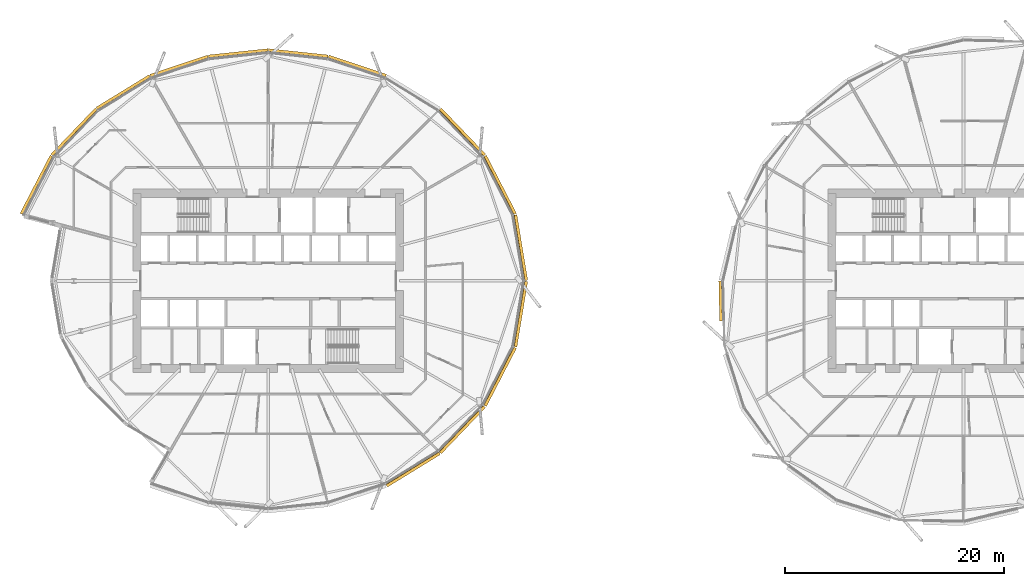
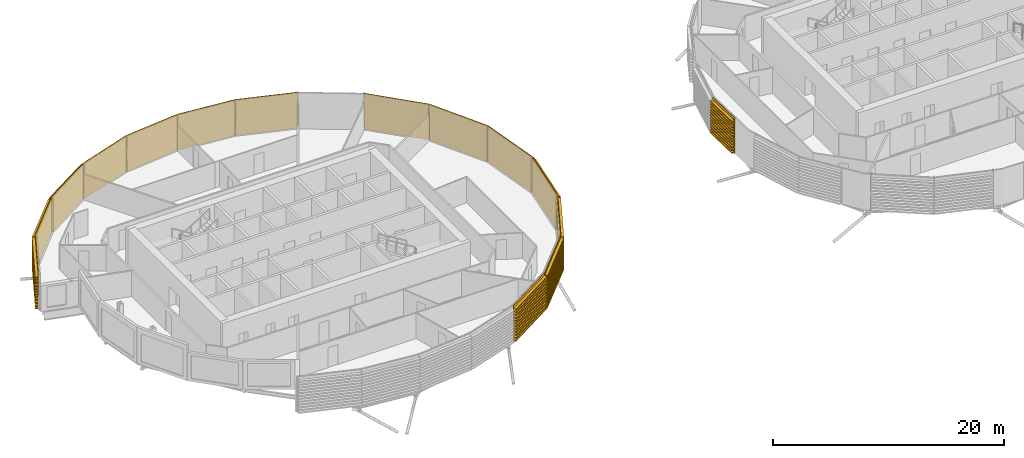
# One storey, part 36 of 39: 15 coverings.
"""IFC4 building model written with IfcOpenShell, lengths in metres."""

from ifc_helpers import new_model, si_unit, direction, frame, origin, place, context, subcontext, project, spatial, polyline, outline, extrude, material, material_profile, profile_set, type_object, element, save


model = new_model("IFC4")

# Units and contexts
model_context = context("Model", 3, precision=1e-05, world=origin(), true_north=direction((0.0, 1.0)))
body_context = subcontext(model_context, "Body", "Model", "MODEL_VIEW")
ifc_project = project(units=[si_unit("LENGTHUNIT", "METRE"), si_unit("AREAUNIT", "SQUARE_METRE"), si_unit("VOLUMEUNIT", "CUBIC_METRE"), si_unit("PLANEANGLEUNIT", "RADIAN"), si_unit("MASSUNIT", "GRAM", prefix="KILO")], contexts=[model_context])

# Site, building, storey
site_placement = place(None, origin())
site = spatial("IfcSite", under=ifc_project, at=site_placement, CompositionType="ELEMENT")
building_placement = place(site_placement, origin())
building = spatial("IfcBuilding", under=site, at=building_placement, Name="Rimbun Link Towers", CompositionType="ELEMENT")
storey_placement = place(building_placement, frame((0.0, 0.0, 112.0)))
storey = spatial("IfcBuildingStorey", under=building, at=storey_placement, Name="L27", CompositionType="ELEMENT", Elevation=112.0)

# Coverings
ifc_material = material(Name="Terracotta", Category="masonry")
ifc_material_profile = material_profile(ifc_material, outline(polyline([(0.123046875, 0.0), (0.1630859375, 0.0), (0.1630859375, 0.10009765625), (0.423095703125, 0.10009765625), (0.423095703125, 0.219970703125), (0.1630859375, 0.219970703125), (0.1630859375, 0.39990234375), (0.423095703125, 0.39990234375), (0.423095703125, 0.52001953125), (0.1630859375, 0.52001953125), (0.1630859375, 0.699951171875), (0.423095703125, 0.699951171875), (0.423095703125, 0.820068359375), (0.1630859375, 0.820068359375), (0.1630859375, 1.0), (0.423095703125, 1.0), (0.423095703125, 1.1201171875), (0.1630859375, 1.1201171875), (0.1630859375, 1.300048828125), (0.423095703125, 1.300048828125), (0.423095703125, 1.419921875), (0.1630859375, 1.419921875), (0.1630859375, 1.60009765625), (0.423095703125, 1.60009765625), (0.423095703125, 1.719970703125), (0.1630859375, 1.719970703125), (0.1630859375, 1.89990234375), (0.423095703125, 1.89990234375), (0.423095703125, 2.02001953125), (0.1630859375, 2.02001953125), (0.1630859375, 2.199951171875), (0.423095703125, 2.199951171875), (0.423095703125, 2.320068359375), (0.1630859375, 2.320068359375), (0.1630859375, 2.5), (0.423095703125, 2.5), (0.423095703125, 2.6201171875), (0.1630859375, 2.6201171875), (0.1630859375, 2.800048828125), (0.423095703125, 2.800048828125), (0.423095703125, 2.919921875), (0.1630859375, 2.919921875), (0.1630859375, 3.10009765625), (0.423095703125, 3.10009765625), (0.423095703125, 3.219970703125), (0.1630859375, 3.219970703125), (0.1630859375, 3.39990234375), (0.423095703125, 3.39990234375), (0.423095703125, 3.52001953125), (0.1630859375, 3.52001953125), (0.1630859375, 3.800048828125), (0.123046875, 3.800048828125), (0.123046875, 0.0)])), Name="BAGUETTE 120X300")
ifc_profile_set = profile_set([ifc_material_profile], Name="Terracotta")
covering_type = type_object("IfcCoveringType", Name="TERRACOTTA BAGUETTE 120X300 H3800", PredefinedType="CLADDING", material=ifc_profile_set)
covering_1_placement = place(storey_placement, frame((-9.449951171875, 5.975341796875, 0.0), z_axis=(0.162273818605, -0.986745766546, 0.0), x_axis=(0.986745766546, 0.162273818605, 0.0)))
element("IfcCovering", 1, at=covering_1_placement, inside=storey, type_object=covering_type, Name="TERRACOTTA BAGUETTE", PredefinedType="CLADDING", context=body_context, shape_type="SweptSolid", body=[
    extrude(outline(polyline([(0.123046875, 0.0), (0.1630859375, 0.0), (0.1630859375, 0.10009765625), (0.423095703125, 0.10009765625), (0.423095703125, 0.219970703125), (0.1630859375, 0.219970703125), (0.1630859375, 0.39990234375), (0.423095703125, 0.39990234375), (0.423095703125, 0.52001953125), (0.1630859375, 0.52001953125), (0.1630859375, 0.699951171875), (0.423095703125, 0.699951171875), (0.423095703125, 0.820068359375), (0.1630859375, 0.820068359375), (0.1630859375, 1.0), (0.423095703125, 1.0), (0.423095703125, 1.1201171875), (0.1630859375, 1.1201171875), (0.1630859375, 1.300048828125), (0.423095703125, 1.300048828125), (0.423095703125, 1.419921875), (0.1630859375, 1.419921875), (0.1630859375, 1.60009765625), (0.423095703125, 1.60009765625), (0.423095703125, 1.719970703125), (0.1630859375, 1.719970703125), (0.1630859375, 1.89990234375), (0.423095703125, 1.89990234375), (0.423095703125, 2.02001953125), (0.1630859375, 2.02001953125), (0.1630859375, 2.199951171875), (0.423095703125, 2.199951171875), (0.423095703125, 2.320068359375), (0.1630859375, 2.320068359375), (0.1630859375, 2.5), (0.423095703125, 2.5), (0.423095703125, 2.6201171875), (0.1630859375, 2.6201171875), (0.1630859375, 2.800048828125), (0.423095703125, 2.800048828125), (0.423095703125, 2.919921875), (0.1630859375, 2.919921875), (0.1630859375, 3.10009765625), (0.423095703125, 3.10009765625), (0.423095703125, 3.219970703125), (0.1630859375, 3.219970703125), (0.1630859375, 3.39990234375), (0.423095703125, 3.39990234375), (0.423095703125, 3.52001953125), (0.1630859375, 3.52001953125), (0.1630859375, 3.800048828125), (0.123046875, 3.800048828125), (0.123046875, 0.0)])), origin(), (0.0, 0.0, 1.0), 6.0556640625),
])
covering_2_placement = place(storey_placement, frame((-12.19873046875, 11.287841796875, 0.0), z_axis=(0.459546166202, -0.888153883699, 0.0), x_axis=(0.888153883699, 0.459546166202, 0.0)))
element("IfcCovering", 2, at=covering_2_placement, inside=storey, type_object=covering_type, Name="TERRACOTTA BAGUETTE", PredefinedType="CLADDING", context=body_context, shape_type="SweptSolid", body=[
    extrude(outline(polyline([(0.123046875, 0.0), (0.1630859375, 0.0), (0.1630859375, 0.10009765625), (0.423095703125, 0.10009765625), (0.423095703125, 0.219970703125), (0.1630859375, 0.219970703125), (0.1630859375, 0.39990234375), (0.423095703125, 0.39990234375), (0.423095703125, 0.52001953125), (0.1630859375, 0.52001953125), (0.1630859375, 0.699951171875), (0.423095703125, 0.699951171875), (0.423095703125, 0.820068359375), (0.1630859375, 0.820068359375), (0.1630859375, 1.0), (0.423095703125, 1.0), (0.423095703125, 1.1201171875), (0.1630859375, 1.1201171875), (0.1630859375, 1.300048828125), (0.423095703125, 1.300048828125), (0.423095703125, 1.419921875), (0.1630859375, 1.419921875), (0.1630859375, 1.60009765625), (0.423095703125, 1.60009765625), (0.423095703125, 1.719970703125), (0.1630859375, 1.719970703125), (0.1630859375, 1.89990234375), (0.423095703125, 1.89990234375), (0.423095703125, 2.02001953125), (0.1630859375, 2.02001953125), (0.1630859375, 2.199951171875), (0.423095703125, 2.199951171875), (0.423095703125, 2.320068359375), (0.1630859375, 2.320068359375), (0.1630859375, 2.5), (0.423095703125, 2.5), (0.423095703125, 2.6201171875), (0.1630859375, 2.6201171875), (0.1630859375, 2.800048828125), (0.423095703125, 2.800048828125), (0.423095703125, 2.919921875), (0.1630859375, 2.919921875), (0.1630859375, 3.10009765625), (0.423095703125, 3.10009765625), (0.423095703125, 3.219970703125), (0.1630859375, 3.219970703125), (0.1630859375, 3.39990234375), (0.423095703125, 3.39990234375), (0.423095703125, 3.52001953125), (0.1630859375, 3.52001953125), (0.1630859375, 3.800048828125), (0.123046875, 3.800048828125), (0.123046875, 0.0)])), origin(), (0.0, 0.0, 1.0), 5.9814453125),
])
covering_3_placement = place(storey_placement, frame((-16.243408203125, 15.506591796875, 0.0), z_axis=(0.692057772999, -0.721842114892, 0.0), x_axis=(0.721842114892, 0.692057772999, 0.0)))
element("IfcCovering", 3, at=covering_3_placement, inside=storey, type_object=covering_type, Name="TERRACOTTA BAGUETTE", PredefinedType="CLADDING", context=body_context, shape_type="SweptSolid", body=[
    extrude(outline(polyline([(0.123046875, 0.0), (0.1630859375, 0.0), (0.1630859375, 0.10009765625), (0.423095703125, 0.10009765625), (0.423095703125, 0.219970703125), (0.1630859375, 0.219970703125), (0.1630859375, 0.39990234375), (0.423095703125, 0.39990234375), (0.423095703125, 0.52001953125), (0.1630859375, 0.52001953125), (0.1630859375, 0.699951171875), (0.423095703125, 0.699951171875), (0.423095703125, 0.820068359375), (0.1630859375, 0.820068359375), (0.1630859375, 1.0), (0.423095703125, 1.0), (0.423095703125, 1.1201171875), (0.1630859375, 1.1201171875), (0.1630859375, 1.300048828125), (0.423095703125, 1.300048828125), (0.423095703125, 1.419921875), (0.1630859375, 1.419921875), (0.1630859375, 1.60009765625), (0.423095703125, 1.60009765625), (0.423095703125, 1.719970703125), (0.1630859375, 1.719970703125), (0.1630859375, 1.89990234375), (0.423095703125, 1.89990234375), (0.423095703125, 2.02001953125), (0.1630859375, 2.02001953125), (0.1630859375, 2.199951171875), (0.423095703125, 2.199951171875), (0.423095703125, 2.320068359375), (0.1630859375, 2.320068359375), (0.1630859375, 2.5), (0.423095703125, 2.5), (0.423095703125, 2.6201171875), (0.1630859375, 2.6201171875), (0.1630859375, 2.800048828125), (0.423095703125, 2.800048828125), (0.423095703125, 2.919921875), (0.1630859375, 2.919921875), (0.1630859375, 3.10009765625), (0.423095703125, 3.10009765625), (0.423095703125, 3.219970703125), (0.1630859375, 3.219970703125), (0.1630859375, 3.39990234375), (0.423095703125, 3.39990234375), (0.423095703125, 3.52001953125), (0.1630859375, 3.52001953125), (0.1630859375, 3.800048828125), (0.123046875, 3.800048828125), (0.123046875, 0.0)])), origin(), (0.0, 0.0, 1.0), 5.844482421875),
])
covering_4_placement = place(storey_placement, frame((-26.332763671875, 20.217529296875, 0.0), z_axis=(0.949237947601, -0.314558927445, 0.0), x_axis=(0.314558927445, 0.949237947601, 0.0)))
element("IfcCovering", 4, at=covering_4_placement, inside=storey, type_object=covering_type, Name="TERRACOTTA BAGUETTE", PredefinedType="CLADDING", context=body_context, shape_type="SweptSolid", body=[
    extrude(outline(polyline([(0.123046875, 0.0), (0.1630859375, 0.0), (0.1630859375, 0.10009765625), (0.423095703125, 0.10009765625), (0.423095703125, 0.219970703125), (0.1630859375, 0.219970703125), (0.1630859375, 0.39990234375), (0.423095703125, 0.39990234375), (0.423095703125, 0.52001953125), (0.1630859375, 0.52001953125), (0.1630859375, 0.699951171875), (0.423095703125, 0.699951171875), (0.423095703125, 0.820068359375), (0.1630859375, 0.820068359375), (0.1630859375, 1.0), (0.423095703125, 1.0), (0.423095703125, 1.1201171875), (0.1630859375, 1.1201171875), (0.1630859375, 1.300048828125), (0.423095703125, 1.300048828125), (0.423095703125, 1.419921875), (0.1630859375, 1.419921875), (0.1630859375, 1.60009765625), (0.423095703125, 1.60009765625), (0.423095703125, 1.719970703125), (0.1630859375, 1.719970703125), (0.1630859375, 1.89990234375), (0.423095703125, 1.89990234375), (0.423095703125, 2.02001953125), (0.1630859375, 2.02001953125), (0.1630859375, 2.199951171875), (0.423095703125, 2.199951171875), (0.423095703125, 2.320068359375), (0.1630859375, 2.320068359375), (0.1630859375, 2.5), (0.423095703125, 2.5), (0.423095703125, 2.6201171875), (0.1630859375, 2.6201171875), (0.1630859375, 2.800048828125), (0.423095703125, 2.800048828125), (0.423095703125, 2.919921875), (0.1630859375, 2.919921875), (0.1630859375, 3.10009765625), (0.423095703125, 3.10009765625), (0.423095703125, 3.219970703125), (0.1630859375, 3.219970703125), (0.1630859375, 3.39990234375), (0.423095703125, 3.39990234375), (0.423095703125, 3.52001953125), (0.1630859375, 3.52001953125), (0.1630859375, 3.800048828125), (0.123046875, 3.800048828125), (0.123046875, 0.0)])), origin(), (0.0, 0.0, 1.0), 5.531494140625),
])
for number, where, z_axis, x_axis, name in (
    (5, (-31.75, 20.7880859375, 0.0), (0.994499311557, -0.104743111051, 0.0), (0.104743111051, 0.994499311557, 0.0), "TERRACOTTA BAGUETTE"),
    (6, (-37.167236328125, 20.217529296875, 0.0), (0.994499311557, 0.104743111051, 0.0), (-0.104743111051, 0.994499311557, 0.0), "TERRACOTTA BAGUETTE"),
):
    element("IfcCovering", number, at=place(storey_placement, frame(where, z_axis=z_axis, x_axis=x_axis)), inside=storey, type_object=covering_type, Name=name, PredefinedType="CLADDING", context=body_context, shape_type="SweptSolid", body=[
        extrude(outline(polyline([(0.123046875, 0.0), (0.1630859375, 0.0), (0.1630859375, 0.10009765625), (0.423095703125, 0.10009765625), (0.423095703125, 0.219970703125), (0.1630859375, 0.219970703125), (0.1630859375, 0.39990234375), (0.423095703125, 0.39990234375), (0.423095703125, 0.52001953125), (0.1630859375, 0.52001953125), (0.1630859375, 0.699951171875), (0.423095703125, 0.699951171875), (0.423095703125, 0.820068359375), (0.1630859375, 0.820068359375), (0.1630859375, 1.0), (0.423095703125, 1.0), (0.423095703125, 1.1201171875), (0.1630859375, 1.1201171875), (0.1630859375, 1.300048828125), (0.423095703125, 1.300048828125), (0.423095703125, 1.419921875), (0.1630859375, 1.419921875), (0.1630859375, 1.60009765625), (0.423095703125, 1.60009765625), (0.423095703125, 1.719970703125), (0.1630859375, 1.719970703125), (0.1630859375, 1.89990234375), (0.423095703125, 1.89990234375), (0.423095703125, 2.02001953125), (0.1630859375, 2.02001953125), (0.1630859375, 2.199951171875), (0.423095703125, 2.199951171875), (0.423095703125, 2.320068359375), (0.1630859375, 2.320068359375), (0.1630859375, 2.5), (0.423095703125, 2.5), (0.423095703125, 2.6201171875), (0.1630859375, 2.6201171875), (0.1630859375, 2.800048828125), (0.423095703125, 2.800048828125), (0.423095703125, 2.919921875), (0.1630859375, 2.919921875), (0.1630859375, 3.10009765625), (0.423095703125, 3.10009765625), (0.423095703125, 3.219970703125), (0.1630859375, 3.219970703125), (0.1630859375, 3.39990234375), (0.423095703125, 3.39990234375), (0.423095703125, 3.52001953125), (0.1630859375, 3.52001953125), (0.1630859375, 3.800048828125), (0.123046875, 3.800048828125), (0.123046875, 0.0)])), origin(), (0.0, 0.0, 1.0), 5.447265625),
    ])
covering_5_placement = place(storey_placement, frame((-42.41796875, 18.4775390625, 0.0), z_axis=(0.949237947601, 0.314558927445, 0.0), x_axis=(-0.314558927445, 0.949237947601, 0.0)))
element("IfcCovering", 7, at=covering_5_placement, inside=storey, type_object=covering_type, Name="TERRACOTTA BAGUETTE", PredefinedType="CLADDING", context=body_context, shape_type="SweptSolid", body=[
    extrude(outline(polyline([(0.123046875, 0.0), (0.1630859375, 0.0), (0.1630859375, 0.10009765625), (0.423095703125, 0.10009765625), (0.423095703125, 0.219970703125), (0.1630859375, 0.219970703125), (0.1630859375, 0.39990234375), (0.423095703125, 0.39990234375), (0.423095703125, 0.52001953125), (0.1630859375, 0.52001953125), (0.1630859375, 0.699951171875), (0.423095703125, 0.699951171875), (0.423095703125, 0.820068359375), (0.1630859375, 0.820068359375), (0.1630859375, 1.0), (0.423095703125, 1.0), (0.423095703125, 1.1201171875), (0.1630859375, 1.1201171875), (0.1630859375, 1.300048828125), (0.423095703125, 1.300048828125), (0.423095703125, 1.419921875), (0.1630859375, 1.419921875), (0.1630859375, 1.60009765625), (0.423095703125, 1.60009765625), (0.423095703125, 1.719970703125), (0.1630859375, 1.719970703125), (0.1630859375, 1.89990234375), (0.423095703125, 1.89990234375), (0.423095703125, 2.02001953125), (0.1630859375, 2.02001953125), (0.1630859375, 2.199951171875), (0.423095703125, 2.199951171875), (0.423095703125, 2.320068359375), (0.1630859375, 2.320068359375), (0.1630859375, 2.5), (0.423095703125, 2.5), (0.423095703125, 2.6201171875), (0.1630859375, 2.6201171875), (0.1630859375, 2.800048828125), (0.423095703125, 2.800048828125), (0.423095703125, 2.919921875), (0.1630859375, 2.919921875), (0.1630859375, 3.10009765625), (0.423095703125, 3.10009765625), (0.423095703125, 3.219970703125), (0.1630859375, 3.219970703125), (0.1630859375, 3.39990234375), (0.423095703125, 3.39990234375), (0.423095703125, 3.52001953125), (0.1630859375, 3.52001953125), (0.1630859375, 3.800048828125), (0.123046875, 3.800048828125), (0.123046875, 0.0)])), origin(), (0.0, 0.0, 1.0), 5.531494140625),
])
covering_6_placement = place(storey_placement, frame((-47.256591796875, 15.506591796875, 0.0), z_axis=(0.852181989513, 0.523245503324, 0.0), x_axis=(-0.523245503324, 0.852181989513, 0.0)))
element("IfcCovering", 8, at=covering_6_placement, inside=storey, type_object=covering_type, Name="TERRACOTTA BAGUETTE", PredefinedType="CLADDING", context=body_context, shape_type="SweptSolid", body=[
    extrude(outline(polyline([(0.123046875, 0.0), (0.1630859375, 0.0), (0.1630859375, 0.10009765625), (0.423095703125, 0.10009765625), (0.423095703125, 0.219970703125), (0.1630859375, 0.219970703125), (0.1630859375, 0.39990234375), (0.423095703125, 0.39990234375), (0.423095703125, 0.52001953125), (0.1630859375, 0.52001953125), (0.1630859375, 0.699951171875), (0.423095703125, 0.699951171875), (0.423095703125, 0.820068359375), (0.1630859375, 0.820068359375), (0.1630859375, 1.0), (0.423095703125, 1.0), (0.423095703125, 1.1201171875), (0.1630859375, 1.1201171875), (0.1630859375, 1.300048828125), (0.423095703125, 1.300048828125), (0.423095703125, 1.419921875), (0.1630859375, 1.419921875), (0.1630859375, 1.60009765625), (0.423095703125, 1.60009765625), (0.423095703125, 1.719970703125), (0.1630859375, 1.719970703125), (0.1630859375, 1.89990234375), (0.423095703125, 1.89990234375), (0.423095703125, 2.02001953125), (0.1630859375, 2.02001953125), (0.1630859375, 2.199951171875), (0.423095703125, 2.199951171875), (0.423095703125, 2.320068359375), (0.1630859375, 2.320068359375), (0.1630859375, 2.5), (0.423095703125, 2.5), (0.423095703125, 2.6201171875), (0.1630859375, 2.6201171875), (0.1630859375, 2.800048828125), (0.423095703125, 2.800048828125), (0.423095703125, 2.919921875), (0.1630859375, 2.919921875), (0.1630859375, 3.10009765625), (0.423095703125, 3.10009765625), (0.423095703125, 3.219970703125), (0.1630859375, 3.219970703125), (0.1630859375, 3.39990234375), (0.423095703125, 3.39990234375), (0.423095703125, 3.52001953125), (0.1630859375, 3.52001953125), (0.1630859375, 3.800048828125), (0.123046875, 3.800048828125), (0.123046875, 0.0)])), origin(), (0.0, 0.0, 1.0), 5.677978515625),
])
covering_7_placement = place(storey_placement, frame((-51.30126953125, 11.287841796875, 0.0), z_axis=(0.692057772999, 0.721842114892, 0.0), x_axis=(-0.721842114892, 0.692057772999, 0.0)))
element("IfcCovering", 9, at=covering_7_placement, inside=storey, type_object=covering_type, Name="TERRACOTTA BAGUETTE", PredefinedType="CLADDING", context=body_context, shape_type="SweptSolid", body=[
    extrude(outline(polyline([(0.123046875, 0.0), (0.1630859375, 0.0), (0.1630859375, 0.10009765625), (0.423095703125, 0.10009765625), (0.423095703125, 0.219970703125), (0.1630859375, 0.219970703125), (0.1630859375, 0.39990234375), (0.423095703125, 0.39990234375), (0.423095703125, 0.52001953125), (0.1630859375, 0.52001953125), (0.1630859375, 0.699951171875), (0.423095703125, 0.699951171875), (0.423095703125, 0.820068359375), (0.1630859375, 0.820068359375), (0.1630859375, 1.0), (0.423095703125, 1.0), (0.423095703125, 1.1201171875), (0.1630859375, 1.1201171875), (0.1630859375, 1.300048828125), (0.423095703125, 1.300048828125), (0.423095703125, 1.419921875), (0.1630859375, 1.419921875), (0.1630859375, 1.60009765625), (0.423095703125, 1.60009765625), (0.423095703125, 1.719970703125), (0.1630859375, 1.719970703125), (0.1630859375, 1.89990234375), (0.423095703125, 1.89990234375), (0.423095703125, 2.02001953125), (0.1630859375, 2.02001953125), (0.1630859375, 2.199951171875), (0.423095703125, 2.199951171875), (0.423095703125, 2.320068359375), (0.1630859375, 2.320068359375), (0.1630859375, 2.5), (0.423095703125, 2.5), (0.423095703125, 2.6201171875), (0.1630859375, 2.6201171875), (0.1630859375, 2.800048828125), (0.423095703125, 2.800048828125), (0.423095703125, 2.919921875), (0.1630859375, 2.919921875), (0.1630859375, 3.10009765625), (0.423095703125, 3.10009765625), (0.423095703125, 3.219970703125), (0.1630859375, 3.219970703125), (0.1630859375, 3.39990234375), (0.423095703125, 3.39990234375), (0.423095703125, 3.52001953125), (0.1630859375, 3.52001953125), (0.1630859375, 3.800048828125), (0.123046875, 3.800048828125), (0.123046875, 0.0)])), origin(), (0.0, 0.0, 1.0), 5.844482421875),
])
covering_8_placement = place(storey_placement, frame((-54.050048828125, 5.975341796875, 0.0), z_axis=(0.459546166202, 0.888153883699, 0.0), x_axis=(-0.888153883699, 0.459546166202, 0.0)))
element("IfcCovering", 10, at=covering_8_placement, inside=storey, type_object=covering_type, Name="TERRACOTTA BAGUETTE", PredefinedType="CLADDING", context=body_context, shape_type="SweptSolid", body=[
    extrude(outline(polyline([(0.123046875, 0.0), (0.1630859375, 0.0), (0.1630859375, 0.10009765625), (0.423095703125, 0.10009765625), (0.423095703125, 0.219970703125), (0.1630859375, 0.219970703125), (0.1630859375, 0.39990234375), (0.423095703125, 0.39990234375), (0.423095703125, 0.52001953125), (0.1630859375, 0.52001953125), (0.1630859375, 0.699951171875), (0.423095703125, 0.699951171875), (0.423095703125, 0.820068359375), (0.1630859375, 0.820068359375), (0.1630859375, 1.0), (0.423095703125, 1.0), (0.423095703125, 1.1201171875), (0.1630859375, 1.1201171875), (0.1630859375, 1.300048828125), (0.423095703125, 1.300048828125), (0.423095703125, 1.419921875), (0.1630859375, 1.419921875), (0.1630859375, 1.60009765625), (0.423095703125, 1.60009765625), (0.423095703125, 1.719970703125), (0.1630859375, 1.719970703125), (0.1630859375, 1.89990234375), (0.423095703125, 1.89990234375), (0.423095703125, 2.02001953125), (0.1630859375, 2.02001953125), (0.1630859375, 2.199951171875), (0.423095703125, 2.199951171875), (0.423095703125, 2.320068359375), (0.1630859375, 2.320068359375), (0.1630859375, 2.5), (0.423095703125, 2.5), (0.423095703125, 2.6201171875), (0.1630859375, 2.6201171875), (0.1630859375, 2.800048828125), (0.423095703125, 2.800048828125), (0.423095703125, 2.919921875), (0.1630859375, 2.919921875), (0.1630859375, 3.10009765625), (0.423095703125, 3.10009765625), (0.423095703125, 3.219970703125), (0.1630859375, 3.219970703125), (0.1630859375, 3.39990234375), (0.423095703125, 3.39990234375), (0.423095703125, 3.52001953125), (0.1630859375, 3.52001953125), (0.1630859375, 3.800048828125), (0.123046875, 3.800048828125), (0.123046875, 0.0)])), origin(), (0.0, 0.0, 1.0), 5.9814453125),
])
covering_9_placement = place(storey_placement, frame((-16.243408203125, -15.506591796875, 0.0), z_axis=(-0.852181989513, -0.523245503324, 0.0), x_axis=(0.523245503324, -0.852181989513, 0.0)))
element("IfcCovering", 11, at=covering_9_placement, inside=storey, type_object=covering_type, Name="TERRACOTTA BAGUETTE", PredefinedType="CLADDING", context=body_context, shape_type="SweptSolid", body=[
    extrude(outline(polyline([(0.123046875, 0.0), (0.1630859375, 0.0), (0.1630859375, 0.10009765625), (0.423095703125, 0.10009765625), (0.423095703125, 0.219970703125), (0.1630859375, 0.219970703125), (0.1630859375, 0.39990234375), (0.423095703125, 0.39990234375), (0.423095703125, 0.52001953125), (0.1630859375, 0.52001953125), (0.1630859375, 0.699951171875), (0.423095703125, 0.699951171875), (0.423095703125, 0.820068359375), (0.1630859375, 0.820068359375), (0.1630859375, 1.0), (0.423095703125, 1.0), (0.423095703125, 1.1201171875), (0.1630859375, 1.1201171875), (0.1630859375, 1.300048828125), (0.423095703125, 1.300048828125), (0.423095703125, 1.419921875), (0.1630859375, 1.419921875), (0.1630859375, 1.60009765625), (0.423095703125, 1.60009765625), (0.423095703125, 1.719970703125), (0.1630859375, 1.719970703125), (0.1630859375, 1.89990234375), (0.423095703125, 1.89990234375), (0.423095703125, 2.02001953125), (0.1630859375, 2.02001953125), (0.1630859375, 2.199951171875), (0.423095703125, 2.199951171875), (0.423095703125, 2.320068359375), (0.1630859375, 2.320068359375), (0.1630859375, 2.5), (0.423095703125, 2.5), (0.423095703125, 2.6201171875), (0.1630859375, 2.6201171875), (0.1630859375, 2.800048828125), (0.423095703125, 2.800048828125), (0.423095703125, 2.919921875), (0.1630859375, 2.919921875), (0.1630859375, 3.10009765625), (0.423095703125, 3.10009765625), (0.423095703125, 3.219970703125), (0.1630859375, 3.219970703125), (0.1630859375, 3.39990234375), (0.423095703125, 3.39990234375), (0.423095703125, 3.52001953125), (0.1630859375, 3.52001953125), (0.1630859375, 3.800048828125), (0.123046875, 3.800048828125), (0.123046875, 0.0)])), origin(), (0.0, 0.0, 1.0), 5.677978515625),
])
covering_10_placement = place(storey_placement, frame((-12.19873046875, -11.287841796875, 0.0), z_axis=(-0.692057772999, -0.721842114892, 0.0), x_axis=(0.721842114892, -0.692057772999, 0.0)))
element("IfcCovering", 12, at=covering_10_placement, inside=storey, type_object=covering_type, Name="TERRACOTTA BAGUETTE", PredefinedType="CLADDING", context=body_context, shape_type="SweptSolid", body=[
    extrude(outline(polyline([(0.123046875, 0.0), (0.1630859375, 0.0), (0.1630859375, 0.10009765625), (0.423095703125, 0.10009765625), (0.423095703125, 0.219970703125), (0.1630859375, 0.219970703125), (0.1630859375, 0.39990234375), (0.423095703125, 0.39990234375), (0.423095703125, 0.52001953125), (0.1630859375, 0.52001953125), (0.1630859375, 0.699951171875), (0.423095703125, 0.699951171875), (0.423095703125, 0.820068359375), (0.1630859375, 0.820068359375), (0.1630859375, 1.0), (0.423095703125, 1.0), (0.423095703125, 1.1201171875), (0.1630859375, 1.1201171875), (0.1630859375, 1.300048828125), (0.423095703125, 1.300048828125), (0.423095703125, 1.419921875), (0.1630859375, 1.419921875), (0.1630859375, 1.60009765625), (0.423095703125, 1.60009765625), (0.423095703125, 1.719970703125), (0.1630859375, 1.719970703125), (0.1630859375, 1.89990234375), (0.423095703125, 1.89990234375), (0.423095703125, 2.02001953125), (0.1630859375, 2.02001953125), (0.1630859375, 2.199951171875), (0.423095703125, 2.199951171875), (0.423095703125, 2.320068359375), (0.1630859375, 2.320068359375), (0.1630859375, 2.5), (0.423095703125, 2.5), (0.423095703125, 2.6201171875), (0.1630859375, 2.6201171875), (0.1630859375, 2.800048828125), (0.423095703125, 2.800048828125), (0.423095703125, 2.919921875), (0.1630859375, 2.919921875), (0.1630859375, 3.10009765625), (0.423095703125, 3.10009765625), (0.423095703125, 3.219970703125), (0.1630859375, 3.219970703125), (0.1630859375, 3.39990234375), (0.423095703125, 3.39990234375), (0.423095703125, 3.52001953125), (0.1630859375, 3.52001953125), (0.1630859375, 3.800048828125), (0.123046875, 3.800048828125), (0.123046875, 0.0)])), origin(), (0.0, 0.0, 1.0), 5.844482421875),
])
covering_11_placement = place(storey_placement, frame((-9.449951171875, -5.975341796875, 0.0), z_axis=(-0.459546166202, -0.888153883699, 0.0), x_axis=(0.888153883699, -0.459546166202, 0.0)))
element("IfcCovering", 13, at=covering_11_placement, inside=storey, type_object=covering_type, Name="TERRACOTTA BAGUETTE", PredefinedType="CLADDING", context=body_context, shape_type="SweptSolid", body=[
    extrude(outline(polyline([(0.123046875, 0.0), (0.1630859375, 0.0), (0.1630859375, 0.10009765625), (0.423095703125, 0.10009765625), (0.423095703125, 0.219970703125), (0.1630859375, 0.219970703125), (0.1630859375, 0.39990234375), (0.423095703125, 0.39990234375), (0.423095703125, 0.52001953125), (0.1630859375, 0.52001953125), (0.1630859375, 0.699951171875), (0.423095703125, 0.699951171875), (0.423095703125, 0.820068359375), (0.1630859375, 0.820068359375), (0.1630859375, 1.0), (0.423095703125, 1.0), (0.423095703125, 1.1201171875), (0.1630859375, 1.1201171875), (0.1630859375, 1.300048828125), (0.423095703125, 1.300048828125), (0.423095703125, 1.419921875), (0.1630859375, 1.419921875), (0.1630859375, 1.60009765625), (0.423095703125, 1.60009765625), (0.423095703125, 1.719970703125), (0.1630859375, 1.719970703125), (0.1630859375, 1.89990234375), (0.423095703125, 1.89990234375), (0.423095703125, 2.02001953125), (0.1630859375, 2.02001953125), (0.1630859375, 2.199951171875), (0.423095703125, 2.199951171875), (0.423095703125, 2.320068359375), (0.1630859375, 2.320068359375), (0.1630859375, 2.5), (0.423095703125, 2.5), (0.423095703125, 2.6201171875), (0.1630859375, 2.6201171875), (0.1630859375, 2.800048828125), (0.423095703125, 2.800048828125), (0.423095703125, 2.919921875), (0.1630859375, 2.919921875), (0.1630859375, 3.10009765625), (0.423095703125, 3.10009765625), (0.423095703125, 3.219970703125), (0.1630859375, 3.219970703125), (0.1630859375, 3.39990234375), (0.423095703125, 3.39990234375), (0.423095703125, 3.52001953125), (0.1630859375, 3.52001953125), (0.1630859375, 3.800048828125), (0.123046875, 3.800048828125), (0.123046875, 0.0)])), origin(), (0.0, 0.0, 1.0), 5.9814453125),
])
covering_12_placement = place(storey_placement, frame((-8.46728515625, 0.0, 0.0), z_axis=(-0.162273818605, -0.986745766546, 0.0), x_axis=(0.986745766546, -0.162273818605, 0.0)))
element("IfcCovering", 14, at=covering_12_placement, inside=storey, type_object=covering_type, Name="TERRACOTTA BAGUETTE", PredefinedType="CLADDING", context=body_context, shape_type="SweptSolid", body=[
    extrude(outline(polyline([(0.123046875, 0.0), (0.1630859375, 0.0), (0.1630859375, 0.10009765625), (0.423095703125, 0.10009765625), (0.423095703125, 0.219970703125), (0.1630859375, 0.219970703125), (0.1630859375, 0.39990234375), (0.423095703125, 0.39990234375), (0.423095703125, 0.52001953125), (0.1630859375, 0.52001953125), (0.1630859375, 0.699951171875), (0.423095703125, 0.699951171875), (0.423095703125, 0.820068359375), (0.1630859375, 0.820068359375), (0.1630859375, 1.0), (0.423095703125, 1.0), (0.423095703125, 1.1201171875), (0.1630859375, 1.1201171875), (0.1630859375, 1.300048828125), (0.423095703125, 1.300048828125), (0.423095703125, 1.419921875), (0.1630859375, 1.419921875), (0.1630859375, 1.60009765625), (0.423095703125, 1.60009765625), (0.423095703125, 1.719970703125), (0.1630859375, 1.719970703125), (0.1630859375, 1.89990234375), (0.423095703125, 1.89990234375), (0.423095703125, 2.02001953125), (0.1630859375, 2.02001953125), (0.1630859375, 2.199951171875), (0.423095703125, 2.199951171875), (0.423095703125, 2.320068359375), (0.1630859375, 2.320068359375), (0.1630859375, 2.5), (0.423095703125, 2.5), (0.423095703125, 2.6201171875), (0.1630859375, 2.6201171875), (0.1630859375, 2.800048828125), (0.423095703125, 2.800048828125), (0.423095703125, 2.919921875), (0.1630859375, 2.919921875), (0.1630859375, 3.10009765625), (0.423095703125, 3.10009765625), (0.423095703125, 3.219970703125), (0.1630859375, 3.219970703125), (0.1630859375, 3.39990234375), (0.423095703125, 3.39990234375), (0.423095703125, 3.52001953125), (0.1630859375, 3.52001953125), (0.1630859375, 3.800048828125), (0.123046875, 3.800048828125), (0.123046875, 0.0)])), origin(), (0.0, 0.0, 1.0), 6.0556640625),
])
covering_13_placement = place(storey_placement, frame((9.897216796875, -3.6435546875, 0.0), z_axis=(-0.021102241806, 0.999777322903, 0.0), x_axis=(-0.999777322903, -0.021102241806, 0.0)))
element("IfcCovering", 15, at=covering_13_placement, inside=storey, type_object=covering_type, Name="TERRACOTTA BAGUETTE", PredefinedType="CLADDING", context=body_context, shape_type="SweptSolid", body=[
    extrude(outline(polyline([(0.123046875, 0.0), (0.1630859375, 0.0), (0.1630859375, 0.10009765625), (0.423095703125, 0.10009765625), (0.423095703125, 0.219970703125), (0.1630859375, 0.219970703125), (0.1630859375, 0.39990234375), (0.423095703125, 0.39990234375), (0.423095703125, 0.52001953125), (0.1630859375, 0.52001953125), (0.1630859375, 0.699951171875), (0.423095703125, 0.699951171875), (0.423095703125, 0.820068359375), (0.1630859375, 0.820068359375), (0.1630859375, 1.0), (0.423095703125, 1.0), (0.423095703125, 1.1201171875), (0.1630859375, 1.1201171875), (0.1630859375, 1.300048828125), (0.423095703125, 1.300048828125), (0.423095703125, 1.419921875), (0.1630859375, 1.419921875), (0.1630859375, 1.60009765625), (0.423095703125, 1.60009765625), (0.423095703125, 1.719970703125), (0.1630859375, 1.719970703125), (0.1630859375, 1.89990234375), (0.423095703125, 1.89990234375), (0.423095703125, 2.02001953125), (0.1630859375, 2.02001953125), (0.1630859375, 2.199951171875), (0.423095703125, 2.199951171875), (0.423095703125, 2.320068359375), (0.1630859375, 2.320068359375), (0.1630859375, 2.5), (0.423095703125, 2.5), (0.423095703125, 2.6201171875), (0.1630859375, 2.6201171875), (0.1630859375, 2.800048828125), (0.423095703125, 2.800048828125), (0.423095703125, 2.919921875), (0.1630859375, 2.919921875), (0.1630859375, 3.10009765625), (0.423095703125, 3.10009765625), (0.423095703125, 3.219970703125), (0.1630859375, 3.219970703125), (0.1630859375, 3.39990234375), (0.423095703125, 3.39990234375), (0.423095703125, 3.52001953125), (0.1630859375, 3.52001953125), (0.1630859375, 3.800048828125), (0.123046875, 3.800048828125), (0.123046875, 0.0)])), origin(), (0.0, 0.0, 1.0), 3.644287109375),
])

save(model, "model.ifc")
